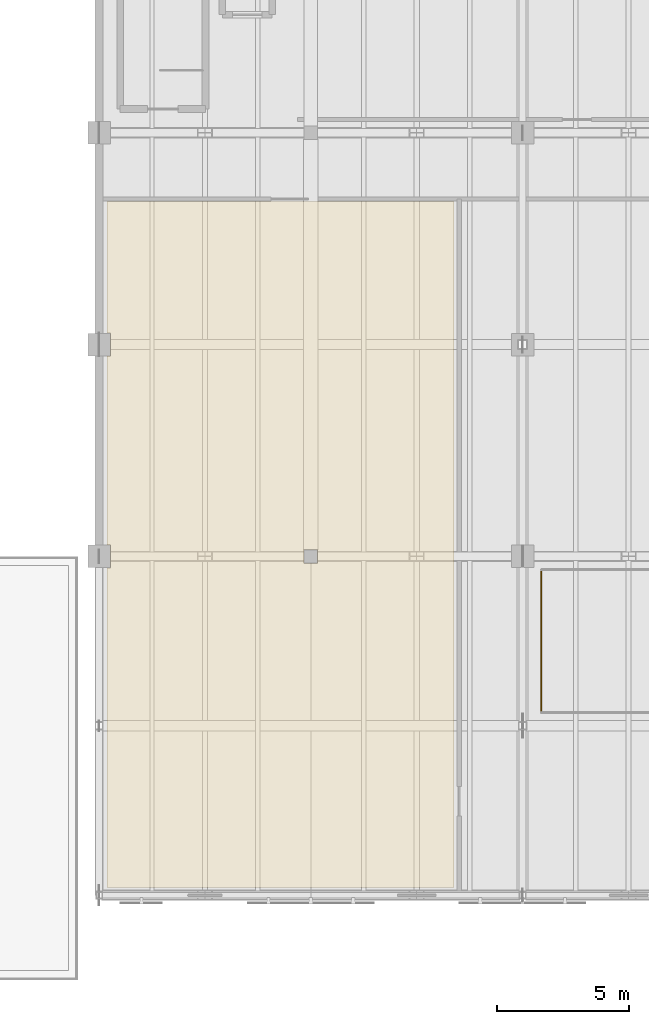
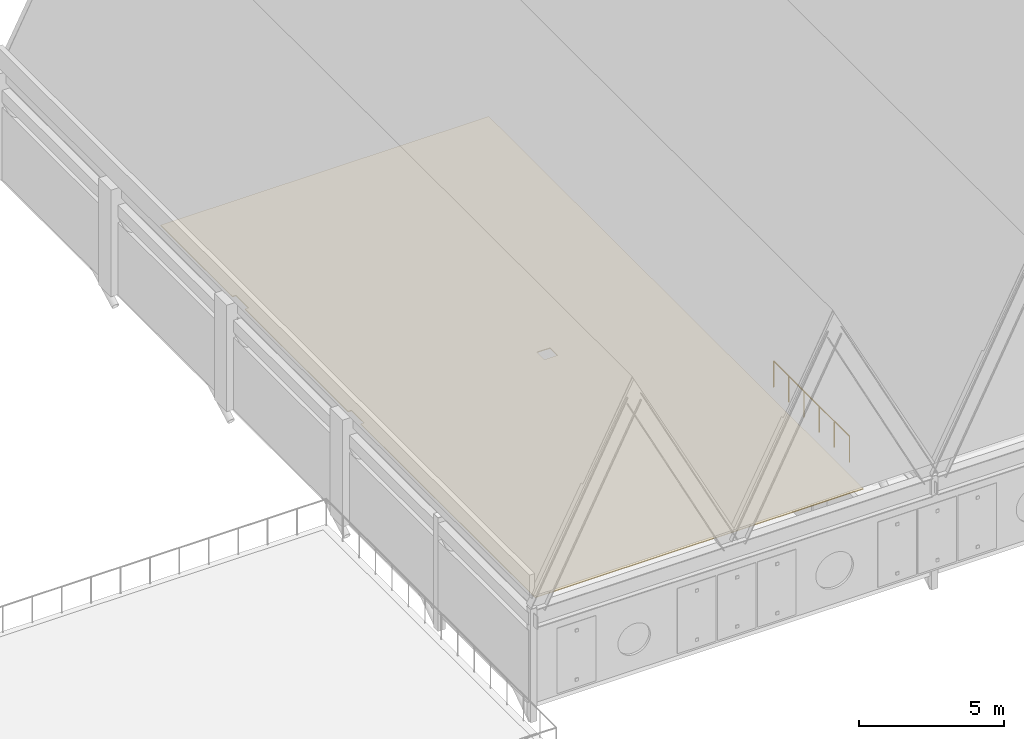
# One storey, part 60 of 72: 1 covering, 1 railing.
"""IFC4 building model written with IfcOpenShell, lengths in metres."""

from ifc_helpers import new_model, si_unit, direction, frame, origin, origin_2d, place, context, subcontext, project, spatial, polyline, circle, outline, extrude, material, layer, layer_set, type_object, element, save


model = new_model("IFC4")

# Units and contexts
model_context = context("Model", 3, precision=1e-05, world=origin(), true_north=direction((0.0, 1.0)))
body_context = subcontext(model_context, "Body", "Model", "MODEL_VIEW")
ifc_project = project(units=[si_unit("LENGTHUNIT", "METRE"), si_unit("AREAUNIT", "SQUARE_METRE"), si_unit("VOLUMEUNIT", "CUBIC_METRE"), si_unit("PLANEANGLEUNIT", "RADIAN"), si_unit("MASSUNIT", "GRAM", prefix="KILO")], contexts=[model_context])

# Site, building, storey
site_placement = place(None, origin())
site = spatial("IfcSite", under=ifc_project, at=site_placement, CompositionType="ELEMENT")
building_placement = place(site_placement, origin())
building = spatial("IfcBuilding", under=site, at=building_placement, Name="Tlaxcora Railside Police Headquarters", CompositionType="ELEMENT")
storey_placement = place(building_placement, frame((0.0, 0.0, 13.5)))
storey = spatial("IfcBuildingStorey", under=building, at=storey_placement, Name="L03", CompositionType="ELEMENT", Elevation=13.5)

# Covering
ifc_material_1 = material(Name="Mineral-fibre acoustic ceiling tile")
ifc_layer = layer(ifc_material_1, 0.034912109375, Name="Mineral-fibre acoustic ceiling tile")
ifc_layer_set = layer_set([ifc_layer], Name="Mineral-fibre acoustic ceiling tile")
covering_type = type_object("IfcCoveringType", Name="Acoustic Suspended Ceiling CLG-01", PredefinedType="CEILING", material=ifc_layer_set)
covering_placement = place(storey_placement, frame((0.0, 0.0, 4.06494140625)))
element("IfcCovering", 1, at=covering_placement, inside=storey, type_object=covering_type, Name="Tactical Briefing Auditorium suspended ceiling", PredefinedType="CEILING", context=body_context, shape_type="SweptSolid", body=[
    extrude(outline(polyline([(59.39990234375, 23.5), (59.39990234375, 49.39990234375), (46.300048828125, 49.39990234375), (46.300048828125, 44.43505859375), (46.43505859375, 44.43505859375), (46.43505859375, 43.56494140625), (46.300048828125, 43.56494140625), (46.300048828125, 36.43505859375), (46.43505859375, 36.43505859375), (46.43505859375, 35.56494140625), (46.300048828125, 35.56494140625), (46.300048828125, 23.5), (59.39990234375, 23.5)]), holes=[polyline([(54.260009765625, 35.739990234375), (53.739990234375, 35.739990234375), (53.739990234375, 36.260009765625), (54.260009765625, 36.260009765625), (54.260009765625, 35.739990234375)])]), origin(), (0.0, 0.0, 1.0), 0.03515625),
])

# Railing
ifc_material_2 = material(Name="Steel ASTM A992 Grade 50", Category="steel")
railing_type = type_object("IfcRailingType", Name="Terrace Perimeter Guard Balustrade GR-01", PredefinedType="BALUSTRADE", material=ifc_material_2)
railing_placement = place(storey_placement, frame((62.699951171875, 35.419921875, 0.0)))
element("IfcRailing", 2, at=railing_placement, inside=storey, type_object=railing_type, Name="Atrium and well guard L03-08", PredefinedType="BALUSTRADE", context=body_context, shape_type="SweptSolid", body=[
    extrude(circle(Radius=0.02392578125, at=origin_2d()), frame((0.0, 0.0, 1.09619140625), z_axis=(0.0, -1.0, 0.0), x_axis=(1.0, 0.0, 0.0)), (0.0, 0.0, 1.0), 5.239990234375),
    extrude(circle(Radius=0.02099609375, at=origin_2d()), origin(), (0.0, 0.0, 1.0), 1.072021484375),
    extrude(circle(Radius=0.02099609375, at=origin_2d()), frame((0.0, -1.048095703125, 0.0)), (0.0, 0.0, 1.0), 1.072021484375),
    extrude(circle(Radius=0.02099609375, at=origin_2d()), frame((0.0, -2.095947265625, 0.0)), (0.0, 0.0, 1.0), 1.072021484375),
    extrude(circle(Radius=0.02099609375, at=origin_2d()), frame((0.0, -3.14404296875, 0.0)), (0.0, 0.0, 1.0), 1.072021484375),
    extrude(circle(Radius=0.02099609375, at=origin_2d()), frame((0.0, -4.19189453125, 0.0)), (0.0, 0.0, 1.0), 1.072021484375),
    extrude(circle(Radius=0.02099609375, at=origin_2d()), frame((0.0, -5.239990234375, 0.0)), (0.0, 0.0, 1.0), 1.072021484375),
])

save(model, "model.ifc")
